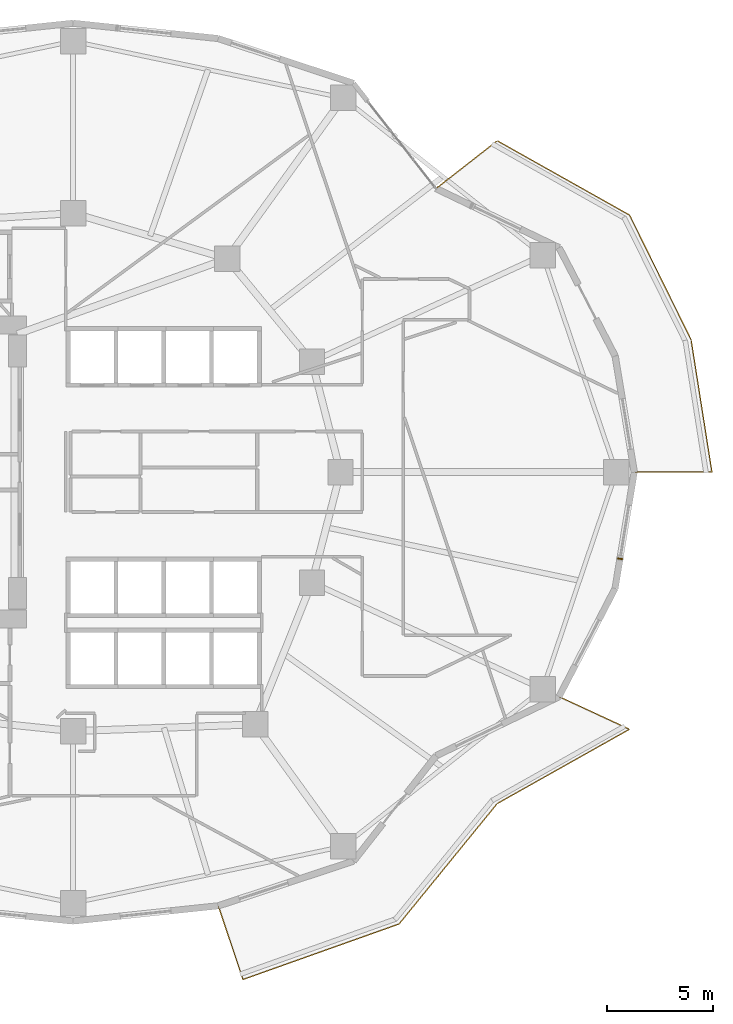
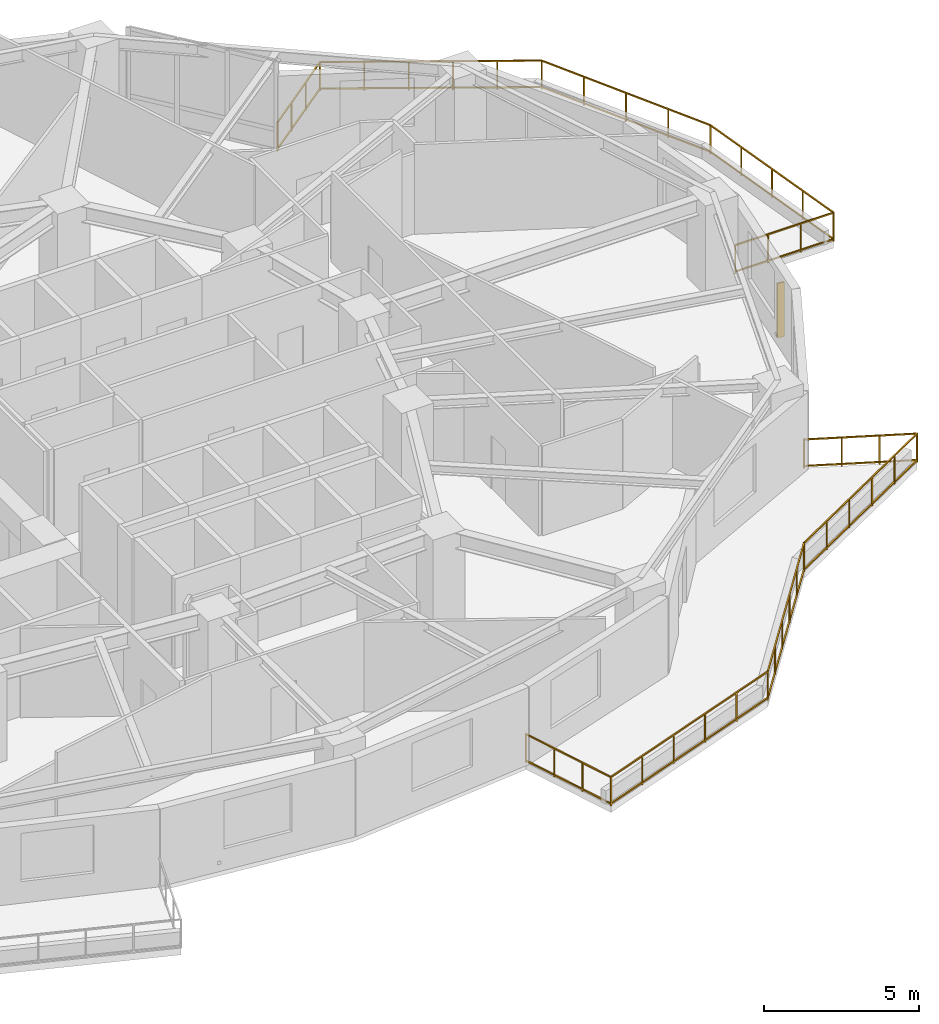
# One storey, part 11 of 12: 2 railings, 1 shading device.
"""IFC4 building model written with IfcOpenShell, lengths in metres."""

from ifc_helpers import new_model, si_unit, direction, frame, origin, origin_2d, place, context, subcontext, project, spatial, rectangle, extrude, material, type_object, element, save


model = new_model("IFC4")

# Units and contexts
model_context = context("Model", 3, precision=1e-05, world=origin(), true_north=direction((0.0, 1.0)))
body_context = subcontext(model_context, "Body", "Model", "MODEL_VIEW")
ifc_project = project(units=[si_unit("LENGTHUNIT", "METRE"), si_unit("AREAUNIT", "SQUARE_METRE"), si_unit("VOLUMEUNIT", "CUBIC_METRE"), si_unit("PLANEANGLEUNIT", "RADIAN"), si_unit("MASSUNIT", "GRAM", prefix="KILO")], contexts=[model_context])

# Site, building, storey
site_placement = place(None, origin())
site = spatial("IfcSite", under=ifc_project, at=site_placement, CompositionType="ELEMENT")
building_placement = place(site_placement, origin())
building = spatial("IfcBuilding", under=site, at=building_placement, Name="Kolvaren Gate Tower and Convention Centre", CompositionType="ELEMENT")
storey_placement = place(building_placement, frame((0.0, 0.0, 91.949951171875)))
storey = spatial("IfcBuildingStorey", under=building, at=storey_placement, Name="L22", CompositionType="ELEMENT", Elevation=91.949951171875)

# Railings
ifc_material_1 = material(Name="Brushed Stainless Steel Grade 316L", Category="steel")
railing_type = type_object("IfcRailingType", Name="ARCH-RL-GUARD-1150", PredefinedType="GUARDRAIL", material=ifc_material_1)
railing_1_placement = place(storey_placement, frame((56.5625, 27.0, 0.0)))
element("IfcRailing", 1, at=railing_1_placement, inside=storey, type_object=railing_type, Name="Tower L22 Terrace Perimeter Guardrail GR-1", PredefinedType="GUARDRAIL", context=body_context, shape_type="SweptSolid", body=[
    extrude(rectangle(XDim=0.048095703125, YDim=0.048095703125, at=origin_2d()), frame((0.028076171875, 0.0, 1.1259765625), z_axis=(1.0, 0.0, 0.0), x_axis=(0.0, 1.0, 0.0)), (0.0, 0.0, 1.0), 3.603759765625),
    extrude(rectangle(XDim=0.048095703125, YDim=0.048095703125, at=origin_2d()), frame((0.028076171875, 0.0, 0.083984375), z_axis=(1.0, 0.0, 0.0), x_axis=(0.0, 1.0, 0.0)), (0.0, 0.0, 1.0), 3.603759765625),
    extrude(rectangle(XDim=0.048095703125, YDim=0.048095703125, at=origin_2d()), frame((3.655517578125, 0.027587890625, 1.1259765625), z_axis=(-0.155418843943, 0.98784866399, 0.0), x_axis=(-0.98784866399, -0.155418843943, 0.0)), (0.0, 0.0, 1.0), 6.261962890625),
    extrude(rectangle(XDim=0.048095703125, YDim=0.048095703125, at=origin_2d()), frame((3.655517578125, 0.027587890625, 0.083984375), z_axis=(-0.155418843943, 0.98784866399, 0.0), x_axis=(-0.98784866399, -0.155418843943, 0.0)), (0.0, 0.0, 1.0), 6.261962890625),
    extrude(rectangle(XDim=0.048095703125, YDim=0.048095703125, at=origin_2d()), frame((2.66552734375, 6.266357421875, 1.1259765625), z_axis=(-0.442686636348, 0.89667638644, 0.0), x_axis=(-0.89667638644, -0.442686636348, 0.0)), (0.0, 0.0, 1.0), 6.488525390625),
    extrude(rectangle(XDim=0.048095703125, YDim=0.048095703125, at=origin_2d()), frame((2.66552734375, 6.266357421875, 0.083984375), z_axis=(-0.442686636348, 0.89667638644, 0.0), x_axis=(-0.89667638644, -0.442686636348, 0.0)), (0.0, 0.0, 1.0), 6.488525390625),
    extrude(rectangle(XDim=0.048095703125, YDim=0.048095703125, at=origin_2d()), frame((-0.24365234375, 12.123291015625, 1.1259765625), z_axis=(-0.871783301661, 0.489891697159, 0.0), x_axis=(-0.489891697159, -0.871783301661, 0.0)), (0.0, 0.0, 1.0), 7.096435546875),
    extrude(rectangle(XDim=0.048095703125, YDim=0.048095703125, at=origin_2d()), frame((-0.24365234375, 12.123291015625, 0.083984375), z_axis=(-0.871783301661, 0.489891697159, 0.0), x_axis=(-0.489891697159, -0.871783301661, 0.0)), (0.0, 0.0, 1.0), 7.096435546875),
    extrude(rectangle(XDim=0.048095703125, YDim=0.048095703125, at=origin_2d()), frame((-6.476806640625, 15.59619140625, 1.1259765625), z_axis=(-0.787988976981, -0.61568934712, 0.0), x_axis=(0.61568934712, -0.787988976981, 0.0)), (0.0, 0.0, 1.0), 3.60400390625),
    extrude(rectangle(XDim=0.048095703125, YDim=0.048095703125, at=origin_2d()), frame((-6.476806640625, 15.59619140625, 0.083984375), z_axis=(-0.787988976981, -0.61568934712, 0.0), x_axis=(0.61568934712, -0.787988976981, 0.0)), (0.0, 0.0, 1.0), 3.60400390625),
    extrude(rectangle(XDim=0.0419921875, YDim=0.0419921875, at=origin_2d()), origin(), (0.0, 0.0, 1.0), 1.14990234375),
    extrude(rectangle(XDim=0.0419921875, YDim=0.0419921875, at=origin_2d()), frame((3.659912109375, 0.0, 0.0)), (0.0, 0.0, 1.0), 1.14990234375),
    extrude(rectangle(XDim=0.0419921875, YDim=0.0419921875, at=origin_2d()), frame((1.219970703125, 0.0, 0.0)), (0.0, 0.0, 1.0), 1.099853515625),
    extrude(rectangle(XDim=0.0419921875, YDim=0.0419921875, at=origin_2d()), frame((2.43994140625, 0.0, 0.0)), (0.0, 0.0, 1.0), 1.099853515625),
    extrude(rectangle(XDim=0.0419921875, YDim=0.0419921875, at=origin_2d()), frame((2.677978515625, 6.2412109375, 0.0)), (0.0, 0.0, 1.0), 1.14990234375),
    extrude(rectangle(XDim=0.0419921875, YDim=0.0419921875, at=origin_2d()), frame((3.41455078125, 1.560302734375, 0.0)), (0.0, 0.0, 1.0), 1.099853515625),
    extrude(rectangle(XDim=0.0419921875, YDim=0.0419921875, at=origin_2d()), frame((3.1689453125, 3.12060546875, 0.0)), (0.0, 0.0, 1.0), 1.099853515625),
    extrude(rectangle(XDim=0.0419921875, YDim=0.0419921875, at=origin_2d()), frame((2.92333984375, 4.680908203125, 0.0)), (0.0, 0.0, 1.0), 1.099853515625),
    extrude(rectangle(XDim=0.0419921875, YDim=0.0419921875, at=origin_2d()), frame((-0.21923828125, 12.109619140625, 0.0)), (0.0, 0.0, 1.0), 1.14990234375),
    extrude(rectangle(XDim=0.0419921875, YDim=0.0419921875, at=origin_2d()), frame((1.95361328125, 7.708251953125, 0.0)), (0.0, 0.0, 1.0), 1.099853515625),
    extrude(rectangle(XDim=0.0419921875, YDim=0.0419921875, at=origin_2d()), frame((1.2294921875, 9.17529296875, 0.0)), (0.0, 0.0, 1.0), 1.099853515625),
    extrude(rectangle(XDim=0.0419921875, YDim=0.0419921875, at=origin_2d()), frame((0.505126953125, 10.642578125, 0.0)), (0.0, 0.0, 1.0), 1.099853515625),
    extrude(rectangle(XDim=0.0419921875, YDim=0.0419921875, at=origin_2d()), frame((-6.45458984375, 15.613525390625, 0.0)), (0.0, 0.0, 1.0), 1.14990234375),
    extrude(rectangle(XDim=0.0419921875, YDim=0.0419921875, at=origin_2d()), frame((-1.46630859375, 12.810302734375, 0.0)), (0.0, 0.0, 1.0), 1.099853515625),
    extrude(rectangle(XDim=0.0419921875, YDim=0.0419921875, at=origin_2d()), frame((-2.71337890625, 13.51123046875, 0.0)), (0.0, 0.0, 1.0), 1.099853515625),
    extrude(rectangle(XDim=0.0419921875, YDim=0.0419921875, at=origin_2d()), frame((-3.96044921875, 14.2119140625, 0.0)), (0.0, 0.0, 1.0), 1.099853515625),
    extrude(rectangle(XDim=0.0419921875, YDim=0.0419921875, at=origin_2d()), frame((-5.20751953125, 14.912841796875, 0.0)), (0.0, 0.0, 1.0), 1.099853515625),
    extrude(rectangle(XDim=0.0419921875, YDim=0.0419921875, at=origin_2d()), frame((-9.338623046875, 13.360107421875, 0.0)), (0.0, 0.0, 1.0), 1.14990234375),
    extrude(rectangle(XDim=0.0419921875, YDim=0.0419921875, at=origin_2d()), frame((-7.416015625, 14.8623046875, 0.0)), (0.0, 0.0, 1.0), 1.099853515625),
    extrude(rectangle(XDim=0.0419921875, YDim=0.0419921875, at=origin_2d()), frame((-8.377197265625, 14.111328125, 0.0)), (0.0, 0.0, 1.0), 1.099853515625),
])
railing_2_placement = place(storey_placement, frame((36.967529296875, 6.57080078125, 0.0)))
element("IfcRailing", 2, at=railing_2_placement, inside=storey, type_object=railing_type, Name="Tower L22 Terrace Perimeter Guardrail GR-4", PredefinedType="GUARDRAIL", context=body_context, shape_type="SweptSolid", body=[
    extrude(rectangle(XDim=0.048095703125, YDim=0.048095703125, at=origin_2d()), frame((0.0087890625, -0.026611328125, 1.1259765625), z_axis=(0.317568160167, -0.94823544737, 0.0), x_axis=(0.94823544737, 0.317568160167, 0.0)), (0.0, 0.0, 1.0), 3.60400390625),
    extrude(rectangle(XDim=0.048095703125, YDim=0.048095703125, at=origin_2d()), frame((0.0087890625, -0.026611328125, 0.083984375), z_axis=(0.317568160167, -0.94823544737, 0.0), x_axis=(0.94823544737, 0.317568160167, 0.0)), (0.0, 0.0, 1.0), 3.60400390625),
    extrude(rectangle(XDim=0.048095703125, YDim=0.048095703125, at=origin_2d()), frame((1.188720703125, -3.46142578125, 1.1259765625), z_axis=(0.942200211781, 0.335050385643, 0.0), x_axis=(-0.335050385643, 0.942200211781, 0.0)), (0.0, 0.0, 1.0), 7.7509765625),
    extrude(rectangle(XDim=0.048095703125, YDim=0.048095703125, at=origin_2d()), frame((1.188720703125, -3.46142578125, 0.083984375), z_axis=(0.942200211781, 0.335050385643, 0.0), x_axis=(-0.335050385643, 0.942200211781, 0.0)), (0.0, 0.0, 1.0), 7.7509765625),
    extrude(rectangle(XDim=0.048095703125, YDim=0.048095703125, at=origin_2d()), frame((8.535888671875, -0.833251953125, 1.1259765625), z_axis=(0.631819273026, 0.775115737315, 0.0), x_axis=(-0.775115737315, 0.631819273026, 0.0)), (0.0, 0.0, 1.0), 7.259765625),
    extrude(rectangle(XDim=0.048095703125, YDim=0.048095703125, at=origin_2d()), frame((8.535888671875, -0.833251953125, 0.083984375), z_axis=(0.631819273026, 0.775115737315, 0.0), x_axis=(-0.775115737315, 0.631819273026, 0.0)), (0.0, 0.0, 1.0), 7.259765625),
    extrude(rectangle(XDim=0.048095703125, YDim=0.048095703125, at=origin_2d()), frame((13.164794921875, 4.829345703125, 1.1259765625), z_axis=(0.871783301661, 0.489891697159, 0.0), x_axis=(-0.489891697159, 0.871783301661, 0.0)), (0.0, 0.0, 1.0), 7.096435546875),
    extrude(rectangle(XDim=0.048095703125, YDim=0.048095703125, at=origin_2d()), frame((13.164794921875, 4.829345703125, 0.083984375), z_axis=(0.871783301661, 0.489891697159, 0.0), x_axis=(-0.489891697159, 0.871783301661, 0.0)), (0.0, 0.0, 1.0), 7.096435546875),
    extrude(rectangle(XDim=0.048095703125, YDim=0.048095703125, at=origin_2d()), frame((19.350341796875, 8.331298828125, 1.1259765625), z_axis=(-0.907846116663, 0.419303503993, 0.0), x_axis=(-0.419303503993, -0.907846116663, 0.0)), (0.0, 0.0, 1.0), 3.60400390625),
    extrude(rectangle(XDim=0.048095703125, YDim=0.048095703125, at=origin_2d()), frame((19.350341796875, 8.331298828125, 0.083984375), z_axis=(-0.907846116663, 0.419303503993, 0.0), x_axis=(-0.419303503993, -0.907846116663, 0.0)), (0.0, 0.0, 1.0), 3.60400390625),
    extrude(rectangle(XDim=0.0419921875, YDim=0.0419921875, at=origin_2d()), origin(), (0.0, 0.0, 1.0), 1.14990234375),
    extrude(rectangle(XDim=0.0419921875, YDim=0.0419921875, at=origin_2d()), frame((1.162353515625, -3.470703125, 0.0)), (0.0, 0.0, 1.0), 1.14990234375),
    extrude(rectangle(XDim=0.0419921875, YDim=0.0419921875, at=origin_2d()), frame((0.387451171875, -1.156982421875, 0.0)), (0.0, 0.0, 1.0), 1.099853515625),
    extrude(rectangle(XDim=0.0419921875, YDim=0.0419921875, at=origin_2d()), frame((0.77490234375, -2.313720703125, 0.0)), (0.0, 0.0, 1.0), 1.099853515625),
    extrude(rectangle(XDim=0.0419921875, YDim=0.0419921875, at=origin_2d()), frame((8.51806640625, -0.85498046875, 0.0)), (0.0, 0.0, 1.0), 1.14990234375),
    extrude(rectangle(XDim=0.0419921875, YDim=0.0419921875, at=origin_2d()), frame((2.633544921875, -2.947509765625, 0.0)), (0.0, 0.0, 1.0), 1.099853515625),
    extrude(rectangle(XDim=0.0419921875, YDim=0.0419921875, at=origin_2d()), frame((4.104736328125, -2.42431640625, 0.0)), (0.0, 0.0, 1.0), 1.099853515625),
    extrude(rectangle(XDim=0.0419921875, YDim=0.0419921875, at=origin_2d()), frame((5.57568359375, -1.9013671875, 0.0)), (0.0, 0.0, 1.0), 1.099853515625),
    extrude(rectangle(XDim=0.0419921875, YDim=0.0419921875, at=origin_2d()), frame((7.046875, -1.378173828125, 0.0)), (0.0, 0.0, 1.0), 1.099853515625),
    extrude(rectangle(XDim=0.0419921875, YDim=0.0419921875, at=origin_2d()), frame((13.140380859375, 4.815673828125, 0.0)), (0.0, 0.0, 1.0), 1.14990234375),
    extrude(rectangle(XDim=0.0419921875, YDim=0.0419921875, at=origin_2d()), frame((9.442626953125, 0.279052734375, 0.0)), (0.0, 0.0, 1.0), 1.099853515625),
    extrude(rectangle(XDim=0.0419921875, YDim=0.0419921875, at=origin_2d()), frame((10.366943359375, 1.413330078125, 0.0)), (0.0, 0.0, 1.0), 1.099853515625),
    extrude(rectangle(XDim=0.0419921875, YDim=0.0419921875, at=origin_2d()), frame((11.29150390625, 2.54736328125, 0.0)), (0.0, 0.0, 1.0), 1.099853515625),
    extrude(rectangle(XDim=0.0419921875, YDim=0.0419921875, at=origin_2d()), frame((12.2158203125, 3.681640625, 0.0)), (0.0, 0.0, 1.0), 1.099853515625),
    extrude(rectangle(XDim=0.0419921875, YDim=0.0419921875, at=origin_2d()), frame((19.375732421875, 8.319580078125, 0.0)), (0.0, 0.0, 1.0), 1.14990234375),
    extrude(rectangle(XDim=0.0419921875, YDim=0.0419921875, at=origin_2d()), frame((14.387451171875, 5.516357421875, 0.0)), (0.0, 0.0, 1.0), 1.099853515625),
    extrude(rectangle(XDim=0.0419921875, YDim=0.0419921875, at=origin_2d()), frame((15.634521484375, 6.21728515625, 0.0)), (0.0, 0.0, 1.0), 1.099853515625),
    extrude(rectangle(XDim=0.0419921875, YDim=0.0419921875, at=origin_2d()), frame((16.881591796875, 6.91796875, 0.0)), (0.0, 0.0, 1.0), 1.099853515625),
    extrude(rectangle(XDim=0.0419921875, YDim=0.0419921875, at=origin_2d()), frame((18.128662109375, 7.618896484375, 0.0)), (0.0, 0.0, 1.0), 1.099853515625),
    extrude(rectangle(XDim=0.0419921875, YDim=0.0419921875, at=origin_2d()), frame((16.052978515625, 9.854248046875, 0.0)), (0.0, 0.0, 1.0), 1.14990234375),
    extrude(rectangle(XDim=0.0419921875, YDim=0.0419921875, at=origin_2d()), frame((18.26806640625, 8.8310546875, 0.0)), (0.0, 0.0, 1.0), 1.099853515625),
    extrude(rectangle(XDim=0.0419921875, YDim=0.0419921875, at=origin_2d()), frame((17.16064453125, 9.3427734375, 0.0)), (0.0, 0.0, 1.0), 1.099853515625),
])

# Shading device
ifc_material_2 = material(Name="Kiln-Fired Bogota Terracotta Ceramic Louvre Profile", Category="masonry")
shading_device_type = type_object("IfcShadingDeviceType", Name="ARCH-SHD-FIN-180", PredefinedType="JALOUSIE", material=ifc_material_2)
shading_device_placement = place(storey_placement, frame((55.891357421875, 22.921142578125, 0.22021484375), z_axis=(0.0, 0.0, 1.0), x_axis=(0.162375401515, 0.986729055508, 0.0)))
element("IfcShadingDevice", 3, at=shading_device_placement, inside=storey, type_object=shading_device_type, Name="Ceramic Vertical Brise-Soleil Fin FN-L22-23", PredefinedType="JALOUSIE", context=body_context, shape_type="SweptSolid", body=[
    extrude(rectangle(XDim=0.06005859375, YDim=0.239990234375, at=origin_2d()), origin(), (0.0, 0.0, 1.0), 2.14990234375),
])

save(model, "model.ifc")
